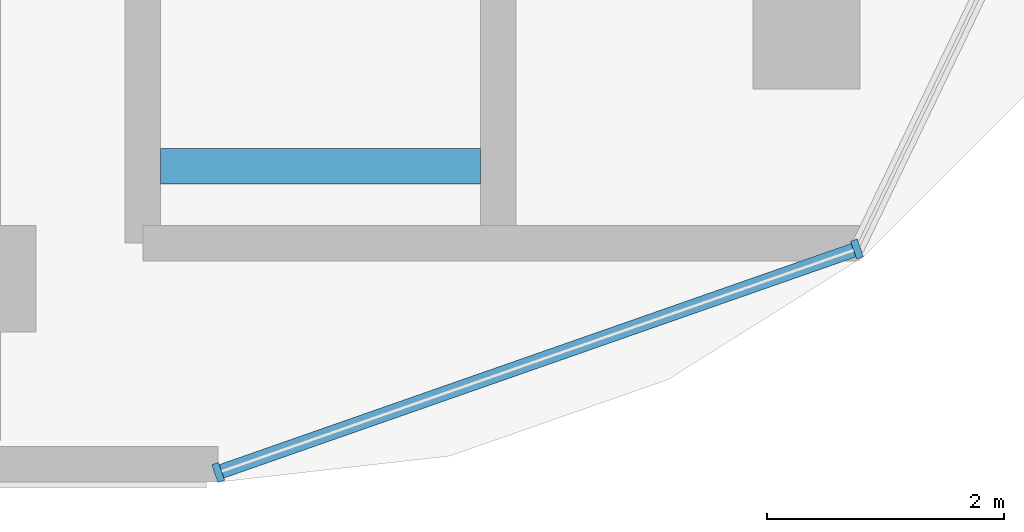
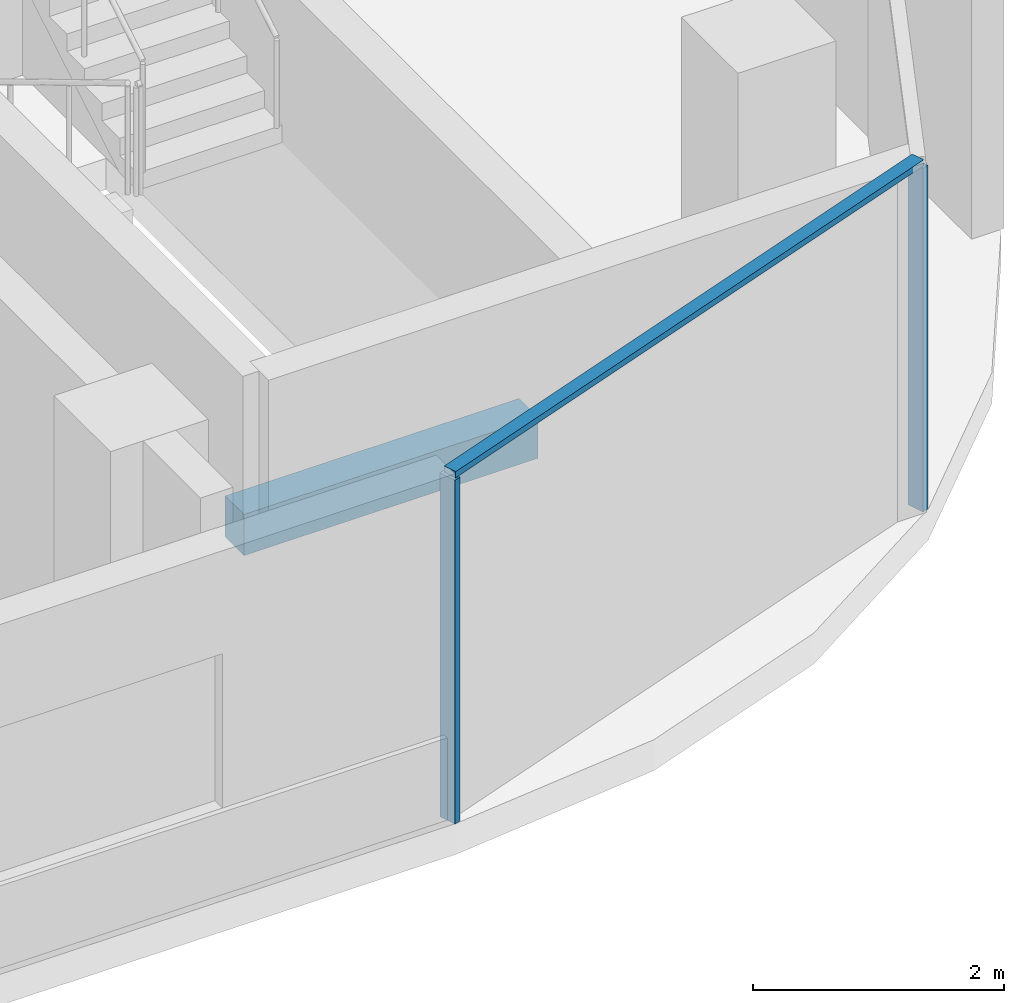
# One storey, part 3 of 19: 3 members, 1 beam, 1 element without a shape of its own.
"""IFC4 building model written with IfcOpenShell, lengths in metres."""

from ifc_helpers import new_model, si_unit, direction, frame, origin, origin_2d, place, context, subcontext, project, spatial, rectangle, extrude, material, material_profile, profile_set, type_object, element, aggregate, save


model = new_model("IFC4")

# Units and contexts
model_context = context("Model", 3, precision=1e-05, world=origin(), true_north=direction((0.0, 1.0)))
body_context = subcontext(model_context, "Body", "Model", "MODEL_VIEW")
ifc_project = project(units=[si_unit("LENGTHUNIT", "METRE"), si_unit("AREAUNIT", "SQUARE_METRE"), si_unit("VOLUMEUNIT", "CUBIC_METRE"), si_unit("PLANEANGLEUNIT", "RADIAN"), si_unit("MASSUNIT", "GRAM", prefix="KILO")], contexts=[model_context])

# Site, building, storey
site_placement = place(None, origin())
site = spatial("IfcSite", under=ifc_project, at=site_placement, CompositionType="ELEMENT")
building_placement = place(site_placement, origin())
building = spatial("IfcBuilding", under=site, at=building_placement, Name="Ogive Portal Towers", CompositionType="ELEMENT")
storey_placement = place(building_placement, frame((0.0, 0.0, 199.5)))
storey = spatial("IfcBuildingStorey", under=building, at=storey_placement, Name="L49", CompositionType="ELEMENT", Elevation=199.5)

# Beam
ifc_material_1 = material(Name="Concrete C40/50", Category="concrete")
ifc_material_profile_1 = material_profile(ifc_material_1, rectangle(XDim=0.300048828125, YDim=0.39990234375, at=origin_2d()), Name="RC 300x400")
ifc_profile_set_1 = profile_set([ifc_material_profile_1], Name="Concrete C40/50")
beam_type = type_object("IfcBeamType", Name="BEAM RC 300x400", PredefinedType="BEAM", material=ifc_profile_set_1)
beam_placement = place(storey_placement, frame((87.0, 22.449951171875, 1.449951171875), z_axis=(1.0, 0.0, 0.0), x_axis=(0.0, 1.0, 0.0)))
element("IfcBeam", 1, at=beam_placement, inside=storey, type_object=beam_type, Name="Landing beam L49", PredefinedType="BEAM", context=body_context, shape_type="SweptSolid", body=[
    extrude(rectangle(XDim=0.300048828125, YDim=0.39990234375, at=origin_2d()), origin(), (0.0, 0.0, 1.0), 2.699951171875),
])

# Curtain wall, members
ifc_material_2 = material(Name="Glass, clear low-iron insulated glazing", Category="glass")
curtain_wall_type = type_object("IfcCurtainWallType", Name="CW FRONT RIBBON 4500", PredefinedType="NOTDEFINED", material=ifc_material_2)
curtain_wall_placement = place(storey_placement, origin())
curtain_wall = element("IfcCurtainWall", 2, at=curtain_wall_placement, inside=storey, type_object=curtain_wall_type, Name="A:L49:f08:cwa", PredefinedType="NOTDEFINED")
ifc_material_3 = material(Name="Aluminium 6063 anodised", Category="aluminium")
ifc_material_profile_2 = material_profile(ifc_material_3, rectangle(XDim=0.159912109375, YDim=0.06005859375, at=origin_2d()), Name="AL 60x160")
ifc_profile_set_2 = profile_set([ifc_material_profile_2], Name="Aluminium 6063 anodised")
member_type_1 = type_object("IfcMemberType", Name="CW MULLION 60x160", PredefinedType="MULLION", material=ifc_profile_set_2)
member_1_placement = place(storey_placement, frame((87.486328125, 19.864990234375, 0.0), z_axis=(0.0, 0.0, 1.0), x_axis=(-0.33027906196, 0.943883330307, 0.0)))
member_1 = element("IfcMember", 3, at=member_1_placement, type_object=member_type_1, Name="mullion", PredefinedType="MULLION", context=body_context, shape_type="SweptSolid", body=[
    extrude(rectangle(XDim=0.159912109375, YDim=0.06005859375, at=origin_2d()), origin(), (0.0, 0.0, 1.0), 3.340087890625),
])
member_2_placement = place(storey_placement, frame((92.8759765625, 21.7509765625, 0.0), z_axis=(0.0, 0.0, 1.0), x_axis=(-0.33027906196, 0.943883330307, 0.0)))
member_2 = element("IfcMember", 4, at=member_2_placement, type_object=member_type_1, Name="mullion", PredefinedType="MULLION", context=body_context, shape_type="SweptSolid", body=[
    extrude(rectangle(XDim=0.159912109375, YDim=0.06005859375, at=origin_2d()), origin(), (0.0, 0.0, 1.0), 3.340087890625),
])
ifc_material_profile_3 = material_profile(ifc_material_3, rectangle(XDim=0.1201171875, YDim=0.06005859375, at=origin_2d()), Name="AL 120x60")
ifc_profile_set_3 = profile_set([ifc_material_profile_3], Name="Aluminium 6063 anodised")
member_type_2 = type_object("IfcMemberType", Name="CW TRANSOM 60x120", PredefinedType="USERDEFINED", material=ifc_profile_set_3)
member_3_placement = place(storey_placement, frame((87.486328125, 19.864990234375, 3.3701171875), z_axis=(0.943879684746, 0.330289480189, 0.0), x_axis=(-0.330289480189, 0.943879684746, 0.0)))
member_3 = element("IfcMember", 5, at=member_3_placement, type_object=member_type_2, Name="transom", ObjectType="TRANSOM", PredefinedType="USERDEFINED", context=body_context, shape_type="SweptSolid", body=[
    extrude(rectangle(XDim=0.1201171875, YDim=0.06005859375, at=origin_2d()), origin(), (0.0, 0.0, 1.0), 5.710205078125),
])
aggregate(curtain_wall, [member_3, member_1, member_2])

save(model, "model.ifc")
